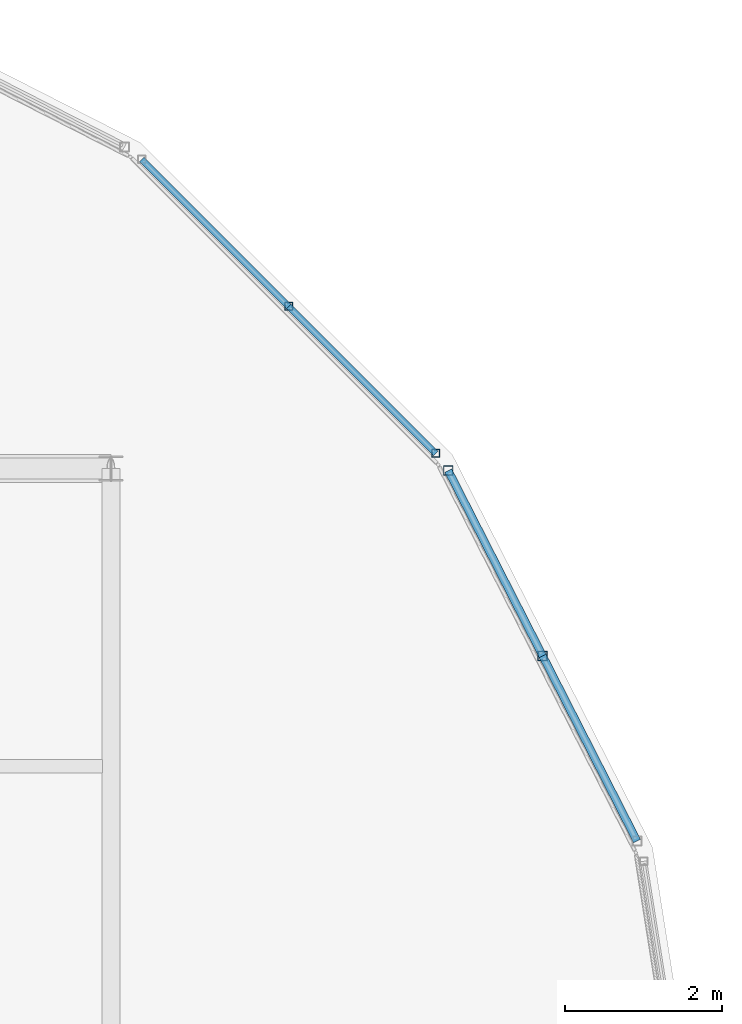
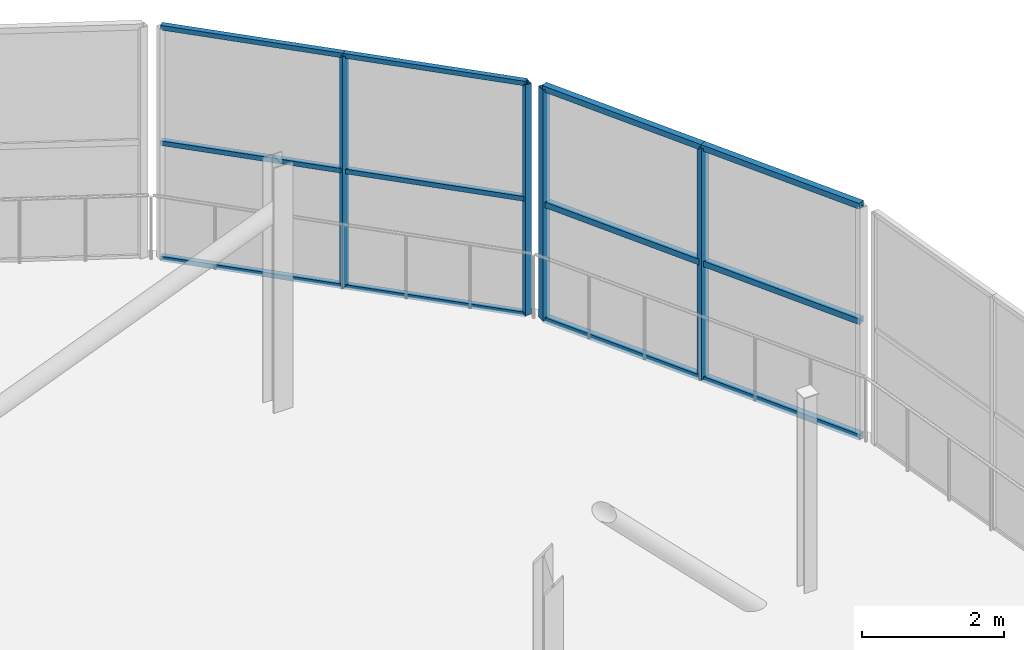
# One storey, part 111 of 151: 16 members, 2 elements without a shape of their own.
"""IFC4 building model written with IfcOpenShell, lengths in metres."""

import ifcopenshell
import ifcopenshell.guid

model = None  # the IFC model being written
_history = None  # IfcOwnerHistory: only IFC2X3 demands one
_inside = {}  # id of a spatial element -> (the spatial element, [elements in it])
_under = {}  # id of a project, library or spatial element -> (it, [spatial elements below it])
_declared = {}  # id of a project -> (the project, [libraries it declares])
_typed = {}  # id of a type object -> (the type object, [elements of that type])
_made_of = {}  # id of a material, layer set ... -> (it, [elements and type objects made of it])


def new_model(schema):
    """Start an empty IFC model of exactly this schema.

    Asked for "IFC4X3", IfcOpenShell would pick the latest addendum, in which some entities
    have other attributes; the version numbers below select the first issue.
    IFC2X3 requires an IfcOwnerHistory on every rooted entity: one is made here for all.
    """
    global model, _history
    if schema == "IFC4X3":
        model = ifcopenshell.file(schema_version=(4, 3, 0, 0))
    else:
        model = ifcopenshell.file(schema=schema)
    _inside.clear()
    _under.clear()
    _declared.clear()
    _typed.clear()
    _made_of.clear()
    _history = None
    if model.schema == "IFC2X3":
        org = make("IfcOrganization", Name="unknown")
        user = make(
            "IfcPersonAndOrganization",
            ThePerson=make("IfcPerson", FamilyName="unknown"),
            TheOrganization=org,
        )
        app = make(
            "IfcApplication",
            ApplicationDeveloper=org,
            Version="unknown",
            ApplicationFullName="unknown",
            ApplicationIdentifier="unknown",
        )
        _history = make(
            "IfcOwnerHistory",
            OwningUser=user,
            OwningApplication=app,
            ChangeAction="ADDED",
            CreationDate=0,
        )
    return model


def make(cls, **values):
    """One entity of the class cls with the attributes given. An attribute that is None is left unset."""
    return model.create_entity(
        cls, **{name: value for name, value in values.items() if value is not None}
    )


def rooted(cls, **values):
    """An entity with a GlobalId (a new one), such as an element, a storey or a relation."""
    return make(cls, GlobalId=ifcopenshell.guid.new(), OwnerHistory=_history, **values)


def si_unit(unit_type, name, prefix=None):
    """IfcSIUnit, for example si_unit("LENGTHUNIT", "METRE", prefix="MILLI")."""
    return make("IfcSIUnit", UnitType=unit_type, Prefix=prefix, Name=name)


def assignment(units):
    """IfcUnitAssignment: the units of a project."""
    return None if units is None else make("IfcUnitAssignment", Units=units)


def point(xyz):
    """IfcCartesianPoint."""
    return None if xyz is None else make("IfcCartesianPoint", Coordinates=xyz)


def direction(xyz):
    """IfcDirection."""
    return None if xyz is None else make("IfcDirection", DirectionRatios=xyz)


def frame(location, z_axis=None, x_axis=None):
    """IfcAxis2Placement3D, a coordinate frame: its origin and axes. An axis left out is left unset."""
    return make(
        "IfcAxis2Placement3D",
        Location=point(location),
        Axis=direction(z_axis),
        RefDirection=direction(x_axis),
    )


def frame_2d(location, x_axis=None):
    """IfcAxis2Placement2D, a coordinate frame in the plane: its origin and x axis."""
    return make(
        "IfcAxis2Placement2D", Location=point(location), RefDirection=direction(x_axis)
    )


def origin():
    """The frame at (0, 0, 0) with its axes left unset."""
    return frame((0.0, 0.0, 0.0))


def origin_2d():
    """The frame at (0, 0) in the plane with its x axis left unset."""
    return frame_2d((0.0, 0.0))


def place(relative_to, where):
    """IfcLocalPlacement: puts the frame where relative to a parent placement (None: the world)."""
    return make(
        "IfcLocalPlacement", PlacementRelTo=relative_to, RelativePlacement=where
    )


def context(
    kind, dimensions, precision=None, world=None, true_north=None, identifier=None
):
    """IfcGeometricRepresentationContext, for example the 3D "Model" context."""
    return make(
        "IfcGeometricRepresentationContext",
        ContextIdentifier=identifier,
        ContextType=kind,
        CoordinateSpaceDimension=dimensions,
        Precision=precision,
        WorldCoordinateSystem=world,
        TrueNorth=true_north,
    )


def subcontext(parent, identifier, kind, view, scale=None):
    """IfcGeometricRepresentationSubContext, for example "Body" below "Model"."""
    return make(
        "IfcGeometricRepresentationSubContext",
        ContextIdentifier=identifier,
        ContextType=kind,
        ParentContext=parent,
        TargetScale=scale,
        TargetView=view,
    )


def project(units=None, contexts=None):
    """IfcProject with its units and contexts."""
    return rooted(
        "IfcProject",
        Name="project",
        RepresentationContexts=contexts,
        UnitsInContext=assignment(units),
    )


def spatial(cls, under=None, at=None, **own):
    """A site, building, storey or space (cls), placed at a placement, below another one or the project."""
    s = rooted(cls, ObjectPlacement=at, **own)
    if under is not None:
        _under.setdefault(under.id(), (under, []))[1].append(s)
    return s


def profile(cls, at=None, kind="AREA", **sizes):
    """A parametric profile (cls). Its sizes go by their IFC names, for example OverallWidth=200.0."""
    return make(cls, ProfileType=kind, Position=at, **sizes)


def hollow_rectangle(**sizes):
    """IfcRectangleHollowProfileDef."""
    return profile("IfcRectangleHollowProfileDef", **sizes)


def extrude(swept, where, along, depth):
    """IfcExtrudedAreaSolid: the profile swept, set in the frame where, extruded along a direction by depth."""
    return make(
        "IfcExtrudedAreaSolid",
        SweptArea=swept,
        Position=where,
        ExtrudedDirection=direction(along),
        Depth=depth,
    )


def shape(context_of_items, identifier, shape_type, items):
    """IfcShapeRepresentation: the items that make up one representation, for example the "Body"."""
    return make(
        "IfcShapeRepresentation",
        ContextOfItems=context_of_items,
        RepresentationIdentifier=identifier,
        RepresentationType=shape_type,
        Items=items,
    )


def material(Name=None, Category=None):
    """IfcMaterial."""
    return make("IfcMaterial", Name=Name, Category=Category)


def material_profile(
    of_material, cross_section, Name=None, Category=None, Priority=None
):
    """IfcMaterialProfile: a cross section and its material."""
    return make(
        "IfcMaterialProfile",
        Name=Name,
        Material=of_material,
        Profile=cross_section,
        Priority=Priority,
        Category=Category,
    )


def profile_set(profiles, Name=None, composite=None):
    """IfcMaterialProfileSet."""
    return make(
        "IfcMaterialProfileSet",
        Name=Name,
        MaterialProfiles=profiles,
        CompositeProfile=composite,
    )


def made_of(thing, what):
    """Note that an element or type object is made of a material, layer set ...; save() writes the relation."""
    if what is not None:
        _made_of.setdefault(what.id(), (what, []))[1].append(thing)
    return thing


def type_object(cls, material=None, **own):
    """A type object (cls), such as IfcWallType, which elements share."""
    return made_of(rooted(cls, **own), material)


def element(
    cls,
    number,
    at=None,
    inside=None,
    cuts=None,
    type_object=None,
    material=None,
    context=None,
    identifier="Body",
    shape_type=None,
    held_by="IfcProductDefinitionShape",
    body=None,
    shapes=None,
    **own,
):
    """One element of the class cls, such as IfcWall. Its Tag is "e" and its number.

    at: its placement. inside: the storey or other place that contains it. cuts: it is an
    opening in that element (IfcRelVoidsElement). A single representation is given by context,
    identifier, shape_type and body (its items); several are given by shapes. held_by: the class
    of the entity that holds the representations. save() writes the other relations.
    """
    e = rooted(cls, Tag="e%d" % number, ObjectPlacement=at, **own)
    if body is not None:
        shapes = [shape(context, identifier, shape_type, body)]
    if shapes is not None:
        e.Representation = make(held_by, Representations=shapes)
    if inside is not None:
        _inside.setdefault(inside.id(), (inside, []))[1].append(e)
    if cuts is not None:
        rooted(
            "IfcRelVoidsElement", RelatingBuildingElement=cuts, RelatedOpeningElement=e
        )
    if type_object is not None:
        _typed.setdefault(type_object.id(), (type_object, []))[1].append(e)
    return made_of(e, material)


def aggregate(whole, parts):
    """IfcRelAggregates: a whole, such as a stair, and the parts it consists of."""
    return rooted("IfcRelAggregates", RelatingObject=whole, RelatedObjects=parts)


def save(model, path):
    """Write the relations noted so far, then the file.

    IfcRelAggregates (storeys below a building ...), IfcRelContainedInSpatialStructure (elements
    in a storey), IfcRelDefinesByType, IfcRelAssociatesMaterial and IfcRelDeclares: one each for
    every whole, place, type object, material and project.
    """
    for whole, parts in _under.values():
        aggregate(whole, parts)
    for where, things in _inside.values():
        rooted(
            "IfcRelContainedInSpatialStructure",
            RelatedElements=things,
            RelatingStructure=where,
        )
    for kind, things in _typed.values():
        rooted("IfcRelDefinesByType", RelatedObjects=things, RelatingType=kind)
    for what, things in _made_of.values():
        rooted("IfcRelAssociatesMaterial", RelatedObjects=things, RelatingMaterial=what)
    for by, libraries in _declared.values():
        rooted("IfcRelDeclares", RelatingContext=by, RelatedDefinitions=libraries)
    model.write(path)


model = new_model("IFC4")

# Units and contexts
model_context = context("Model", 3, precision=1e-05, world=origin(), true_north=direction((0.0, 1.0)))
body_context = subcontext(model_context, "Body", "Model", "MODEL_VIEW")
ifc_project = project(units=[si_unit("LENGTHUNIT", "METRE"), si_unit("AREAUNIT", "SQUARE_METRE"), si_unit("VOLUMEUNIT", "CUBIC_METRE"), si_unit("PLANEANGLEUNIT", "RADIAN"), si_unit("MASSUNIT", "GRAM", prefix="KILO")], contexts=[model_context])

# Site, building, storey
site_placement = place(None, origin())
site = spatial("IfcSite", under=ifc_project, at=site_placement, CompositionType="ELEMENT")
building_placement = place(site_placement, origin())
building = spatial("IfcBuilding", under=site, at=building_placement, Name="Zuvorla Pavilion Media Centre", CompositionType="ELEMENT")
storey_placement = place(building_placement, frame((0.0, 0.0, 13.800048828125)))
storey = spatial("IfcBuildingStorey", under=building, at=storey_placement, Name="L03", CompositionType="ELEMENT", Elevation=13.800048828125)

# Curtain wall, members
ifc_material_1 = material(Name="Unitised anodised aluminium and solar glass curtain wall", Category="aluminium")
curtain_wall_type_1 = type_object("IfcCurtainWallType", Name="CW-SYS-04", PredefinedType="USERDEFINED", material=ifc_material_1)
curtain_wall_1_placement = place(storey_placement, origin())
curtain_wall_1 = element("IfcCurtainWall", 1, at=curtain_wall_1_placement, inside=storey, type_object=curtain_wall_type_1, Name="L03 curtain wall CW04 103", ObjectType="CURTAIN WALL", PredefinedType="USERDEFINED")
ifc_material_2 = material(Name="Anodised aluminium 6063-T6", Category="aluminium")
ifc_material_profile_1 = material_profile(ifc_material_2, hollow_rectangle(XDim=0.10009765625, YDim=0.10009765625, WallThickness=0.00439453125, at=origin_2d()), Name="ALU MULL 100x100")
ifc_profile_set_1 = profile_set([ifc_material_profile_1], Name="Anodised aluminium 6063-T6")
member_type_1 = type_object("IfcMemberType", Name="CW-MULL-100", PredefinedType="MULLION", material=ifc_profile_set_1)
member_1_placement = place(storey_placement, frame((171.750244140625, 82.194091796875, 0.0), z_axis=(0.0, 0.0, 1.0), x_axis=(1.0, 0.0, 0.0)))
member_1 = element("IfcMember", 2, at=member_1_placement, type_object=member_type_1, Name="CW04 mullion 1", PredefinedType="MULLION", context=body_context, shape_type="SweptSolid", body=[
    extrude(hollow_rectangle(XDim=0.10009765625, YDim=0.10009765625, WallThickness=0.00439453125, at=origin_2d()), origin(), (0.0, 0.0, 1.0), 3.9599609375),
])
member_2_placement = place(storey_placement, frame((169.872314453125, 84.072265625, 0.0), z_axis=(0.0, 0.0, 1.0), x_axis=(1.0, 0.0, 0.0)))
member_2 = element("IfcMember", 3, at=member_2_placement, type_object=member_type_1, Name="CW04 mullion 2", PredefinedType="MULLION", context=body_context, shape_type="SweptSolid", body=[
    extrude(hollow_rectangle(XDim=0.10009765625, YDim=0.10009765625, WallThickness=0.00439453125, at=origin_2d()), origin(), (0.0, 0.0, 1.0), 3.9599609375),
])

curtain_wall_type_2 = type_object("IfcCurtainWallType", Name="CW-SYS-03", PredefinedType="USERDEFINED", material=ifc_material_1)
curtain_wall_2_placement = place(storey_placement, origin())
curtain_wall_2 = element("IfcCurtainWall", 4, at=curtain_wall_2_placement, inside=storey, type_object=curtain_wall_type_2, Name="L03 curtain wall CW03 102", ObjectType="CURTAIN WALL", PredefinedType="USERDEFINED")
ifc_material_profile_2 = material_profile(ifc_material_2, hollow_rectangle(XDim=0.1201171875, YDim=0.1201171875, WallThickness=0.0048828125, at=origin_2d()), Name="ALU MULL 120x120")
ifc_profile_set_2 = profile_set([ifc_material_profile_2], Name="Anodised aluminium 6063-T6")
member_type_2 = type_object("IfcMemberType", Name="CW-MULL-120", PredefinedType="MULLION", material=ifc_profile_set_2)
member_3_placement = place(storey_placement, frame((173.115966796875, 79.607666015625, 0.0), z_axis=(0.0, 0.0, 1.0), x_axis=(1.0, 0.0, 0.0)))
member_3 = element("IfcMember", 5, at=member_3_placement, type_object=member_type_2, Name="CW03 mullion 2", PredefinedType="MULLION", context=body_context, shape_type="SweptSolid", body=[
    extrude(hollow_rectangle(XDim=0.1201171875, YDim=0.1201171875, WallThickness=0.0048828125, at=origin_2d()), origin(), (0.0, 0.0, 1.0), 3.9599609375),
])
member_4_placement = place(storey_placement, frame((171.91015625, 81.97412109375, 0.0), z_axis=(0.0, 0.0, 1.0), x_axis=(1.0, 0.0, 0.0)))
member_4 = element("IfcMember", 6, at=member_4_placement, type_object=member_type_2, Name="CW03 mullion 3", PredefinedType="MULLION", context=body_context, shape_type="SweptSolid", body=[
    extrude(hollow_rectangle(XDim=0.1201171875, YDim=0.1201171875, WallThickness=0.0048828125, at=origin_2d()), origin(), (0.0, 0.0, 1.0), 3.9599609375),
])
ifc_material_profile_3 = material_profile(ifc_material_2, hollow_rectangle(XDim=0.10009765625, YDim=0.10009765625, WallThickness=0.00439453125, at=origin_2d()), Name="ALU TRAN 100x100")
ifc_profile_set_3 = profile_set([ifc_material_profile_3], Name="Anodised aluminium 6063-T6")
member_type_3 = type_object("IfcMemberType", Name="CW-TRAN-100", PredefinedType="USERDEFINED", material=ifc_profile_set_3)
member_5_placement = place(storey_placement, frame((174.321533203125, 77.2412109375, 0.0), z_axis=(-0.453929912622, 0.891037392272, 0.0), x_axis=(-0.891037392272, -0.453929912622, 0.0)))
member_5 = element("IfcMember", 7, at=member_5_placement, type_object=member_type_3, Name="CW03 transom 1.1", ObjectType="TRANSOM", PredefinedType="USERDEFINED", context=body_context, shape_type="SweptSolid", body=[
    extrude(hollow_rectangle(XDim=0.10009765625, YDim=0.10009765625, WallThickness=0.00439453125, at=origin_2d()), origin(), (0.0, 0.0, 1.0), 2.65576171875),
])
member_6_placement = place(storey_placement, frame((174.321533203125, 77.2412109375, 1.97998046875), z_axis=(-0.453929912622, 0.891037392272, 0.0), x_axis=(-0.891037392272, -0.453929912622, 0.0)))
member_6 = element("IfcMember", 8, at=member_6_placement, type_object=member_type_3, Name="CW03 transom 1.2", ObjectType="TRANSOM", PredefinedType="USERDEFINED", context=body_context, shape_type="SweptSolid", body=[
    extrude(hollow_rectangle(XDim=0.10009765625, YDim=0.10009765625, WallThickness=0.00439453125, at=origin_2d()), origin(), (0.0, 0.0, 1.0), 2.65576171875),
])
member_7_placement = place(storey_placement, frame((174.321533203125, 77.2412109375, 3.9599609375), z_axis=(-0.453929912622, 0.891037392272, 0.0), x_axis=(-0.891037392272, -0.453929912622, 0.0)))
member_7 = element("IfcMember", 9, at=member_7_placement, type_object=member_type_3, Name="CW03 transom 1.3", ObjectType="TRANSOM", PredefinedType="USERDEFINED", context=body_context, shape_type="SweptSolid", body=[
    extrude(hollow_rectangle(XDim=0.10009765625, YDim=0.10009765625, WallThickness=0.00439453125, at=origin_2d()), origin(), (0.0, 0.0, 1.0), 2.65576171875),
])
member_8_placement = place(storey_placement, frame((173.115966796875, 79.607666015625, 0.0), z_axis=(-0.454002892375, 0.891000209717, 0.0), x_axis=(-0.891000209717, -0.454002892375, 0.0)))
member_8 = element("IfcMember", 10, at=member_8_placement, type_object=member_type_3, Name="CW03 transom 2.1", ObjectType="TRANSOM", PredefinedType="USERDEFINED", context=body_context, shape_type="SweptSolid", body=[
    extrude(hollow_rectangle(XDim=0.10009765625, YDim=0.10009765625, WallThickness=0.00439453125, at=origin_2d()), origin(), (0.0, 0.0, 1.0), 2.656005859375),
])
member_9_placement = place(storey_placement, frame((173.115966796875, 79.607666015625, 1.97998046875), z_axis=(-0.454002892375, 0.891000209717, 0.0), x_axis=(-0.891000209717, -0.454002892375, 0.0)))
member_9 = element("IfcMember", 11, at=member_9_placement, type_object=member_type_3, Name="CW03 transom 2.2", ObjectType="TRANSOM", PredefinedType="USERDEFINED", context=body_context, shape_type="SweptSolid", body=[
    extrude(hollow_rectangle(XDim=0.10009765625, YDim=0.10009765625, WallThickness=0.00439453125, at=origin_2d()), origin(), (0.0, 0.0, 1.0), 2.656005859375),
])
member_10_placement = place(storey_placement, frame((173.115966796875, 79.607666015625, 3.9599609375), z_axis=(-0.454002892375, 0.891000209717, 0.0), x_axis=(-0.891000209717, -0.454002892375, 0.0)))
member_10 = element("IfcMember", 12, at=member_10_placement, type_object=member_type_3, Name="CW03 transom 2.3", ObjectType="TRANSOM", PredefinedType="USERDEFINED", context=body_context, shape_type="SweptSolid", body=[
    extrude(hollow_rectangle(XDim=0.10009765625, YDim=0.10009765625, WallThickness=0.00439453125, at=origin_2d()), origin(), (0.0, 0.0, 1.0), 2.656005859375),
])
aggregate(curtain_wall_2, [member_3, member_4, member_5, member_6, member_7, member_8, member_9, member_10])

# Member
ifc_material_profile_4 = material_profile(ifc_material_2, hollow_rectangle(XDim=0.080078125, YDim=0.080078125, WallThickness=0.00390625, at=origin_2d()), Name="ALU TRAN 80x80")
ifc_profile_set_4 = profile_set([ifc_material_profile_4], Name="Anodised aluminium 6063-T6")
member_type_4 = type_object("IfcMemberType", Name="CW-TRAN-80", PredefinedType="USERDEFINED", material=ifc_profile_set_4)
member_11_placement = place(storey_placement, frame((171.750244140625, 82.194091796875, 0.0), z_axis=(-0.707060818901, 0.707152740485, 0.0), x_axis=(-0.707152740485, -0.707060818901, 0.0)))
member_11 = element("IfcMember", 13, at=member_11_placement, type_object=member_type_4, Name="CW04 transom 1.1", ObjectType="TRANSOM", PredefinedType="USERDEFINED", context=body_context, shape_type="SweptSolid", body=[
    extrude(hollow_rectangle(XDim=0.080078125, YDim=0.080078125, WallThickness=0.00390625, at=origin_2d()), origin(), (0.0, 0.0, 1.0), 2.656005859375),
])

member_12_placement = place(storey_placement, frame((171.750244140625, 82.194091796875, 1.97998046875), z_axis=(-0.707060818901, 0.707152740485, 0.0), x_axis=(-0.707152740485, -0.707060818901, 0.0)))
member_12 = element("IfcMember", 14, at=member_12_placement, type_object=member_type_4, Name="CW04 transom 1.2", ObjectType="TRANSOM", PredefinedType="USERDEFINED", context=body_context, shape_type="SweptSolid", body=[
    extrude(hollow_rectangle(XDim=0.080078125, YDim=0.080078125, WallThickness=0.00390625, at=origin_2d()), origin(), (0.0, 0.0, 1.0), 2.656005859375),
])

member_13_placement = place(storey_placement, frame((171.750244140625, 82.194091796875, 3.9599609375), z_axis=(-0.707060818901, 0.707152740485, 0.0), x_axis=(-0.707152740485, -0.707060818901, 0.0)))
member_13 = element("IfcMember", 15, at=member_13_placement, type_object=member_type_4, Name="CW04 transom 1.3", ObjectType="TRANSOM", PredefinedType="USERDEFINED", context=body_context, shape_type="SweptSolid", body=[
    extrude(hollow_rectangle(XDim=0.080078125, YDim=0.080078125, WallThickness=0.00390625, at=origin_2d()), origin(), (0.0, 0.0, 1.0), 2.656005859375),
])

member_14_placement = place(storey_placement, frame((169.872314453125, 84.072265625, 0.0), z_axis=(-0.707152740485, 0.707060818901, 0.0), x_axis=(-0.707060818901, -0.707152740485, 0.0)))
member_14 = element("IfcMember", 16, at=member_14_placement, type_object=member_type_4, Name="CW04 transom 2.1", ObjectType="TRANSOM", PredefinedType="USERDEFINED", context=body_context, shape_type="SweptSolid", body=[
    extrude(hollow_rectangle(XDim=0.080078125, YDim=0.080078125, WallThickness=0.00390625, at=origin_2d()), origin(), (0.0, 0.0, 1.0), 2.656005859375),
])

member_15_placement = place(storey_placement, frame((169.872314453125, 84.072265625, 1.97998046875), z_axis=(-0.707152740485, 0.707060818901, 0.0), x_axis=(-0.707060818901, -0.707152740485, 0.0)))
member_15 = element("IfcMember", 17, at=member_15_placement, type_object=member_type_4, Name="CW04 transom 2.2", ObjectType="TRANSOM", PredefinedType="USERDEFINED", context=body_context, shape_type="SweptSolid", body=[
    extrude(hollow_rectangle(XDim=0.080078125, YDim=0.080078125, WallThickness=0.00390625, at=origin_2d()), origin(), (0.0, 0.0, 1.0), 2.656005859375),
])

member_16_placement = place(storey_placement, frame((169.872314453125, 84.072265625, 3.9599609375), z_axis=(-0.707152740485, 0.707060818901, 0.0), x_axis=(-0.707060818901, -0.707152740485, 0.0)))
member_16 = element("IfcMember", 18, at=member_16_placement, type_object=member_type_4, Name="CW04 transom 2.3", ObjectType="TRANSOM", PredefinedType="USERDEFINED", context=body_context, shape_type="SweptSolid", body=[
    extrude(hollow_rectangle(XDim=0.080078125, YDim=0.080078125, WallThickness=0.00390625, at=origin_2d()), origin(), (0.0, 0.0, 1.0), 2.656005859375),
])

aggregate(curtain_wall_1, [member_1, member_2, member_11, member_12, member_13, member_14, member_15, member_16])

save(model, "model.ifc")
